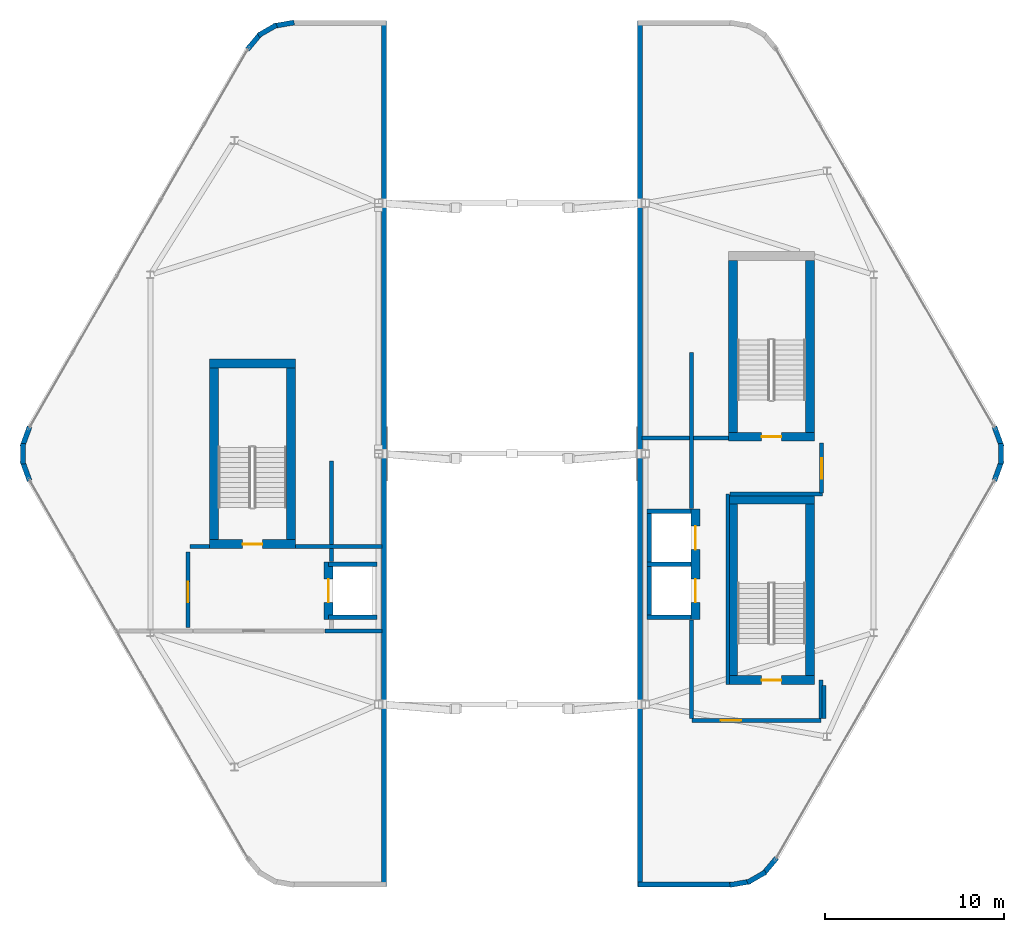
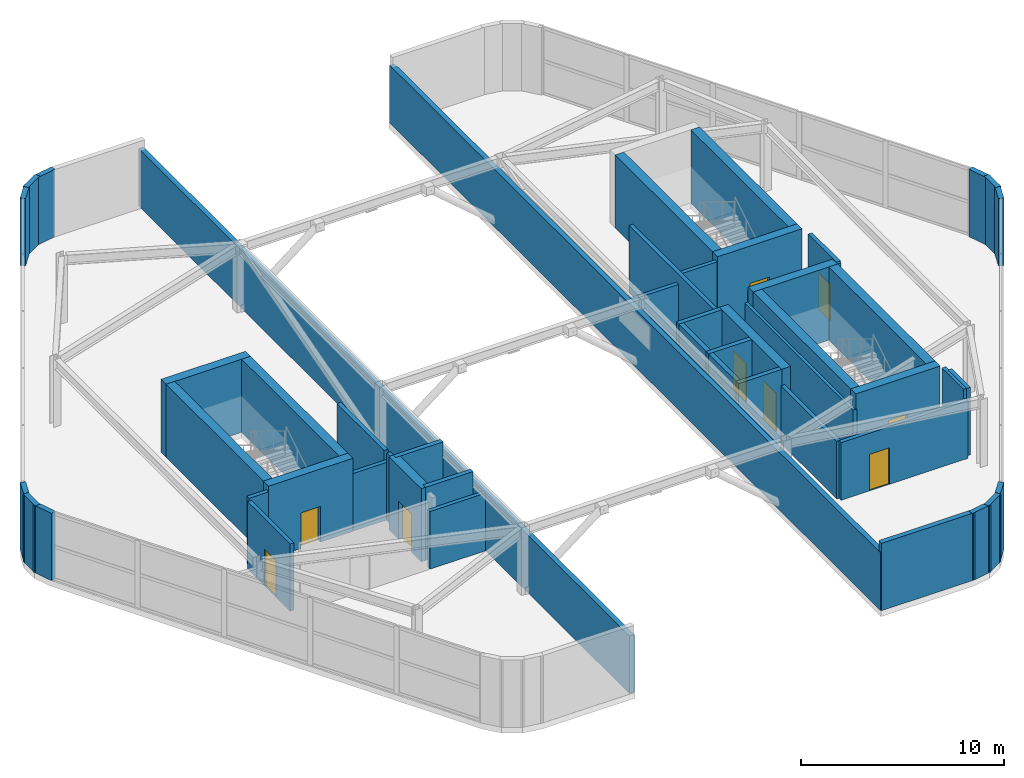
# One storey, part 14 of 16: 51 walls, 9 doors, 9 openings.
"""IFC4 building model written with IfcOpenShell, lengths in metres."""

from ifc_helpers import new_model, si_unit, direction, frame, frame_2d, origin, place, context, subcontext, project, spatial, rectangle, extrude, material, layer, layer_set, type_object, element, fill, save


model = new_model("IFC4")

# Units and contexts
model_context = context("Model", 3, precision=1e-05, world=origin(), true_north=direction((0.0, 1.0)))
body_context = subcontext(model_context, "Body", "Model", "MODEL_VIEW")
ifc_project = project(units=[si_unit("LENGTHUNIT", "METRE"), si_unit("AREAUNIT", "SQUARE_METRE"), si_unit("VOLUMEUNIT", "CUBIC_METRE"), si_unit("PLANEANGLEUNIT", "RADIAN"), si_unit("MASSUNIT", "GRAM", prefix="KILO")], contexts=[model_context])

# Site, building, storey
site_placement = place(None, origin())
site = spatial("IfcSite", under=ifc_project, at=site_placement, CompositionType="ELEMENT")
building_placement = place(site_placement, origin())
building = spatial("IfcBuilding", under=site, at=building_placement, Name="Zuhravey Tower", CompositionType="ELEMENT")
storey_placement = place(building_placement, frame((0.0, 0.0, 365.800048828125)))
storey = spatial("IfcBuildingStorey", under=building, at=storey_placement, Name="L93", CompositionType="ELEMENT", Elevation=365.800048828125)

# Wall, opening, door
ifc_material_1 = material(Name="Concrete C50/60", Category="concrete")
ifc_layer_1 = layer(ifc_material_1, 0.5)
ifc_layer_set_1 = layer_set([ifc_layer_1], Name="Concrete C50/60")
wall_type_1 = type_object("IfcWallType", Name="Core Shear Wall 500", PredefinedType="SHEAR", material=ifc_layer_set_1)
wall_1_placement = place(storey_placement, frame((19.10009765625, 26.949951171875, 0.0), z_axis=(0.0, 0.0, 1.0), x_axis=(1.0, 0.0, 0.0)))
wall_1 = element("IfcWall", 1, at=wall_1_placement, inside=storey, type_object=wall_type_1, Name="L93 CST1 South Shaft Wall", PredefinedType="SHEAR", context=body_context, shape_type="SweptSolid", body=[
    extrude(rectangle(XDim=4.7998046875, YDim=0.5, at=frame_2d((2.39990234375, 0.0))), origin(), (0.0, 0.0, 1.0), 4.39990234375),
])
opening_1_placement = place(wall_1_placement, frame((1.85009765625, 0.0, 0.0)))
opening_1 = element("IfcOpeningElement", 2, at=opening_1_placement, cuts=wall_1, Name="Opening STD1", PredefinedType="OPENING", context=body_context, shape_type="SweptSolid", body=[
    extrude(rectangle(XDim=1.10009765625, YDim=2.14990234375, at=frame_2d((0.550048828125, 1.074951171875))), frame((0.0, 0.261962890625, 0.0), z_axis=(0.0, -1.0, 0.0), x_axis=(1.0, 0.0, 0.0)), (0.0, 0.0, 1.0), 0.52392578125),
])
ifc_material_2 = material(Name="Galvanised fire-rated steel leaf", Category="steel")
door_type_1 = type_object("IfcDoorType", Name="Protected Stair Fire Door 1100x2150", OperationType="NOTDEFINED", PredefinedType="USERDEFINED", material=ifc_material_2)
door_1_placement = place(opening_1_placement, origin())
door_1 = element("IfcDoor", 3, at=door_1_placement, inside=storey, type_object=door_type_1, Name="L93 CST1 Door", ObjectType="EXITDOOR", OperationType="SINGLE_SWING_LEFT", OverallHeight=2.14990234375, OverallWidth=1.10009765625, PredefinedType="USERDEFINED", context=body_context, shape_type="SweptSolid", body=[
    extrude(rectangle(XDim=1.10009765625, YDim=2.14990234375, at=frame_2d((0.550048828125, 1.074951171875))), frame((0.0, 0.02490234375, 0.0), z_axis=(0.0, -1.0, 0.0), x_axis=(1.0, 0.0, 0.0)), (0.0, 0.0, 1.0), 0.050048828125),
])
fill(opening_1, door_1)

# Walls
wall_2_placement = place(storey_placement, frame((23.89990234375, 37.050048828125, 0.0), z_axis=(0.0, 0.0, 1.0), x_axis=(-1.0, 0.0, 0.0)))
element("IfcWall", 4, at=wall_2_placement, inside=storey, type_object=wall_type_1, Name="L93 CST1 North Shaft Wall", PredefinedType="SHEAR", context=body_context, shape_type="SweptSolid", body=[
    extrude(rectangle(XDim=4.7998046875, YDim=0.5, at=frame_2d((2.39990234375, 0.0))), origin(), (0.0, 0.0, 1.0), 4.39990234375),
])
for number, where, z_axis, x_axis, name in (
    (5, (19.35009765625, 27.199951171875, 0.0), (0.0, 0.0, 1.0), (0.0, 1.0, 0.0), "L93 CST1 West Shaft Wall"),
    (6, (23.64990234375, 36.800048828125, 0.0), (0.0, 0.0, 1.0), (0.0, -1.0, 0.0), "L93 CST1 East Shaft Wall"),
):
    element("IfcWall", number, at=place(storey_placement, frame(where, z_axis=z_axis, x_axis=x_axis)), inside=storey, type_object=wall_type_1, Name=name, PredefinedType="SHEAR", context=body_context, shape_type="SweptSolid", body=[
        extrude(rectangle(XDim=9.60009765625, YDim=0.5, at=frame_2d((4.800048828125, 0.0))), origin(), (0.0, 0.0, 1.0), 4.39990234375),
    ])

# Wall, opening, door
wall_3_placement = place(storey_placement, frame((48.10009765625, 19.35009765625, 0.0), z_axis=(0.0, 0.0, 1.0), x_axis=(1.0, 0.0, 0.0)))
wall_3 = element("IfcWall", 7, at=wall_3_placement, inside=storey, type_object=wall_type_1, Name="L93 CST2 South Shaft Wall", PredefinedType="SHEAR", context=body_context, shape_type="SweptSolid", body=[
    extrude(rectangle(XDim=4.7998046875, YDim=0.5, at=frame_2d((2.39990234375, 0.0))), origin(), (0.0, 0.0, 1.0), 4.39990234375),
])
opening_2_placement = place(wall_3_placement, frame((1.85009765625, 0.0, 0.0)))
opening_2 = element("IfcOpeningElement", 8, at=opening_2_placement, cuts=wall_3, Name="Opening STD1", PredefinedType="OPENING", context=body_context, shape_type="SweptSolid", body=[
    extrude(rectangle(XDim=1.10009765625, YDim=2.14990234375, at=frame_2d((0.550048828125, 1.074951171875))), frame((0.0, 0.261962890625, 0.0), z_axis=(0.0, -1.0, 0.0), x_axis=(1.0, 0.0, 0.0)), (0.0, 0.0, 1.0), 0.52392578125),
])
door_2_placement = place(opening_2_placement, origin())
door_2 = element("IfcDoor", 9, at=door_2_placement, inside=storey, type_object=door_type_1, Name="L93 CST2 Door", ObjectType="EXITDOOR", OperationType="SINGLE_SWING_RIGHT", OverallHeight=2.14990234375, OverallWidth=1.10009765625, PredefinedType="USERDEFINED", context=body_context, shape_type="SweptSolid", body=[
    extrude(rectangle(XDim=1.10009765625, YDim=2.14990234375, at=frame_2d((0.550048828125, 1.074951171875))), frame((0.0, 0.02490234375, 0.0), z_axis=(0.0, -1.0, 0.0), x_axis=(1.0, 0.0, 0.0)), (0.0, 0.0, 1.0), 0.050048828125),
])
fill(opening_2, door_2)

# Walls
wall_4_placement = place(storey_placement, frame((52.89990234375, 29.449951171875, 0.0), z_axis=(0.0, 0.0, 1.0), x_axis=(-1.0, 0.0, 0.0)))
element("IfcWall", 10, at=wall_4_placement, inside=storey, type_object=wall_type_1, Name="L93 CST2 North Shaft Wall", PredefinedType="SHEAR", context=body_context, shape_type="SweptSolid", body=[
    extrude(rectangle(XDim=4.7998046875, YDim=0.5, at=frame_2d((2.39990234375, 0.0))), origin(), (0.0, 0.0, 1.0), 4.39990234375),
])
for number, where, z_axis, x_axis, name in (
    (11, (48.35009765625, 19.60009765625, 0.0), (0.0, 0.0, 1.0), (0.0, 1.0, 0.0), "L93 CST2 West Shaft Wall"),
    (12, (52.64990234375, 29.199951171875, 0.0), (0.0, 0.0, 1.0), (0.0, -1.0, 0.0), "L93 CST2 East Shaft Wall"),
):
    element("IfcWall", number, at=place(storey_placement, frame(where, z_axis=z_axis, x_axis=x_axis)), inside=storey, type_object=wall_type_1, Name=name, PredefinedType="SHEAR", context=body_context, shape_type="SweptSolid", body=[
        extrude(rectangle(XDim=9.599853515625, YDim=0.5, at=frame_2d((4.7998046875, 0.0))), origin(), (0.0, 0.0, 1.0), 4.39990234375),
    ])

# Wall, opening, door
wall_5_placement = place(storey_placement, frame((48.10009765625, 32.949951171875, 0.0), z_axis=(0.0, 0.0, 1.0), x_axis=(1.0, 0.0, 0.0)))
wall_5 = element("IfcWall", 13, at=wall_5_placement, inside=storey, type_object=wall_type_1, Name="L93 CST3 South Shaft Wall", PredefinedType="SHEAR", context=body_context, shape_type="SweptSolid", body=[
    extrude(rectangle(XDim=4.7998046875, YDim=0.5, at=frame_2d((2.39990234375, 0.0))), origin(), (0.0, 0.0, 1.0), 4.39990234375),
])
opening_3_placement = place(wall_5_placement, frame((1.85009765625, 0.0, 0.0)))
opening_3 = element("IfcOpeningElement", 14, at=opening_3_placement, cuts=wall_5, Name="Opening STD1", PredefinedType="OPENING", context=body_context, shape_type="SweptSolid", body=[
    extrude(rectangle(XDim=1.10009765625, YDim=2.14990234375, at=frame_2d((0.550048828125, 1.074951171875))), frame((0.0, 0.261962890625, 0.0), z_axis=(0.0, -1.0, 0.0), x_axis=(1.0, 0.0, 0.0)), (0.0, 0.0, 1.0), 0.52392578125),
])
door_3_placement = place(opening_3_placement, origin())
door_3 = element("IfcDoor", 15, at=door_3_placement, inside=storey, type_object=door_type_1, Name="L93 CST3 Door", ObjectType="EXITDOOR", OperationType="SINGLE_SWING_LEFT", OverallHeight=2.14990234375, OverallWidth=1.10009765625, PredefinedType="USERDEFINED", context=body_context, shape_type="SweptSolid", body=[
    extrude(rectangle(XDim=1.10009765625, YDim=2.14990234375, at=frame_2d((0.550048828125, 1.074951171875))), frame((0.0, 0.02490234375, 0.0), z_axis=(0.0, -1.0, 0.0), x_axis=(1.0, 0.0, 0.0)), (0.0, 0.0, 1.0), 0.050048828125),
])
fill(opening_3, door_3)

# Walls
for number, where, z_axis, x_axis, name in (
    (16, (48.35009765625, 33.199951171875, 0.0), (0.0, 0.0, 1.0), (0.0, 1.0, 0.0), "L93 CST3 West Shaft Wall"),
    (17, (52.64990234375, 42.800048828125, 0.0), (0.0, 0.0, 1.0), (0.0, -1.0, 0.0), "L93 CST3 East Shaft Wall"),
):
    element("IfcWall", number, at=place(storey_placement, frame(where, z_axis=z_axis, x_axis=x_axis)), inside=storey, type_object=wall_type_1, Name=name, PredefinedType="SHEAR", context=body_context, shape_type="SweptSolid", body=[
        extrude(rectangle(XDim=9.60009765625, YDim=0.5, at=frame_2d((4.800048828125, 0.0))), origin(), (0.0, 0.0, 1.0), 4.39990234375),
    ])

# Wall, opening, door
wall_6_placement = place(storey_placement, frame((25.75, 22.75, 0.0), z_axis=(0.0, 0.0, 1.0), x_axis=(0.0, 1.0, 0.0)))
wall_6 = element("IfcWall", 18, at=wall_6_placement, inside=storey, type_object=wall_type_1, Name="L93 West Crest FF1 Shear Wall", PredefinedType="SHEAR", context=body_context, shape_type="SweptSolid", body=[
    extrude(rectangle(XDim=3.199951171875, YDim=0.5, at=frame_2d((1.60009765625, 0.0))), origin(), (0.0, 0.0, 1.0), 4.39990234375),
])
opening_4_placement = place(wall_6_placement, frame((0.949951171875, 0.0, 0.0)))
opening_4 = element("IfcOpeningElement", 19, at=opening_4_placement, cuts=wall_6, Name="Opening LD2", PredefinedType="OPENING", context=body_context, shape_type="SweptSolid", body=[
    extrude(rectangle(XDim=1.300048828125, YDim=2.300048828125, at=frame_2d((0.64990234375, 1.14990234375))), frame((0.0, 0.261962890625, 0.0), z_axis=(0.0, -1.0, 0.0), x_axis=(1.0, 0.0, 0.0)), (0.0, 0.0, 1.0), 0.52392578125),
])
ifc_material_3 = material(Name="Brushed stainless steel", Category="steel")
door_type_2 = type_object("IfcDoorType", Name="Freight & Stretcher Lift Sliding Door 1300x2300", OperationType="DOUBLE_DOOR_SLIDING", PredefinedType="DOOR", material=ifc_material_3)
door_4_placement = place(opening_4_placement, origin())
door_4 = element("IfcDoor", 20, at=door_4_placement, inside=storey, type_object=door_type_2, Name="L93 Lift FF1 Crown Landing Door", OperationType="DOUBLE_DOOR_SLIDING", OverallHeight=2.300048828125, OverallWidth=1.300048828125, PredefinedType="DOOR", context=body_context, shape_type="SweptSolid", body=[
    extrude(rectangle(XDim=1.300048828125, YDim=2.300048828125, at=frame_2d((0.64990234375, 1.14990234375))), frame((0.0, 0.02490234375, 0.0), z_axis=(0.0, -1.0, 0.0), x_axis=(1.0, 0.0, 0.0)), (0.0, 0.0, 1.0), 0.050048828125),
])
fill(opening_4, door_4)

# Wall, openings, doors
wall_7_placement = place(storey_placement, frame((46.25, 22.75, 0.0), z_axis=(0.0, 0.0, 1.0), x_axis=(0.0, 1.0, 0.0)))
wall_7 = element("IfcWall", 21, at=wall_7_placement, inside=storey, type_object=wall_type_1, Name="L93 East Crest FF2 Shear Wall", PredefinedType="SHEAR", context=body_context, shape_type="SweptSolid", body=[
    extrude(rectangle(XDim=6.14990234375, YDim=0.5, at=frame_2d((3.074951171875, 0.0))), origin(), (0.0, 0.0, 1.0), 4.39990234375),
])
opening_5_placement = place(wall_7_placement, frame((0.949951171875, 0.0, 0.0)))
opening_5 = element("IfcOpeningElement", 22, at=opening_5_placement, cuts=wall_7, Name="Opening LD2", PredefinedType="OPENING", context=body_context, shape_type="SweptSolid", body=[
    extrude(rectangle(XDim=1.300048828125, YDim=2.300048828125, at=frame_2d((0.64990234375, 1.14990234375))), frame((0.0, 0.261962890625, 0.0), z_axis=(0.0, -1.0, 0.0), x_axis=(1.0, 0.0, 0.0)), (0.0, 0.0, 1.0), 0.52392578125),
])
opening_6_placement = place(wall_7_placement, frame((3.89990234375, 0.0, 0.0)))
opening_6 = element("IfcOpeningElement", 23, at=opening_6_placement, cuts=wall_7, Name="Opening LD2", PredefinedType="OPENING", context=body_context, shape_type="SweptSolid", body=[
    extrude(rectangle(XDim=1.300048828125, YDim=2.300048828125, at=frame_2d((0.64990234375, 1.14990234375))), frame((0.0, 0.261962890625, 0.0), z_axis=(0.0, -1.0, 0.0), x_axis=(1.0, 0.0, 0.0)), (0.0, 0.0, 1.0), 0.52392578125),
])
door_5_placement = place(opening_5_placement, frame((1.300048828125, 0.0, 0.0), z_axis=(0.0, 0.0, 1.0), x_axis=(-1.0, 0.0, 0.0)))
door_5 = element("IfcDoor", 24, at=door_5_placement, inside=storey, type_object=door_type_2, Name="L93 Lift FF2 Crown Landing Door", OperationType="DOUBLE_DOOR_SLIDING", OverallHeight=2.300048828125, OverallWidth=1.300048828125, PredefinedType="DOOR", context=body_context, shape_type="SweptSolid", body=[
    extrude(rectangle(XDim=1.300048828125, YDim=2.300048828125, at=frame_2d((0.64990234375, 1.14990234375))), frame((0.0, 0.02490234375, 0.0), z_axis=(0.0, -1.0, 0.0), x_axis=(1.0, 0.0, 0.0)), (0.0, 0.0, 1.0), 0.050048828125),
])
fill(opening_5, door_5)
door_6_placement = place(opening_6_placement, frame((1.300048828125, 0.0, 0.0), z_axis=(0.0, 0.0, 1.0), x_axis=(-1.0, 0.0, 0.0)))
door_6 = element("IfcDoor", 25, at=door_6_placement, inside=storey, type_object=door_type_2, Name="L93 Lift SV1 Crown Landing Door", OperationType="DOUBLE_DOOR_SLIDING", OverallHeight=2.300048828125, OverallWidth=1.300048828125, PredefinedType="DOOR", context=body_context, shape_type="SweptSolid", body=[
    extrude(rectangle(XDim=1.300048828125, YDim=2.300048828125, at=frame_2d((0.64990234375, 1.14990234375))), frame((0.0, 0.02490234375, 0.0), z_axis=(0.0, -1.0, 0.0), x_axis=(1.0, 0.0, 0.0)), (0.0, 0.0, 1.0), 0.050048828125),
])
fill(opening_6, door_6)

# Walls
ifc_material_4 = material(Name="Precast concrete C40/50", Category="concrete")
ifc_layer_2 = layer(ifc_material_4, 0.280029296875)
ifc_layer_set_2 = layer_set([ifc_layer_2], Name="Precast concrete C40/50")
wall_type_2 = type_object("IfcWallType", Name="Crown Architectural Wall 280", PredefinedType="SOLIDWALL", material=ifc_layer_set_2)
wall_8_placement = place(storey_placement, frame((9.051513671875, 30.4951171875, 0.0), z_axis=(0.0, 0.0, 1.0), x_axis=(-0.342042645118, 0.939684430498, 0.0)))
element("IfcWall", 26, at=wall_8_placement, inside=storey, type_object=wall_type_2, Name="L93 WEST Crest Wall EW28-05", PredefinedType="SOLIDWALL", context=body_context, shape_type="SweptSolid", body=[
    extrude(rectangle(XDim=1.177734375, YDim=0.280029296875, at=frame_2d((0.5888671875, 0.0))), origin(), (0.0, 0.0, 1.0), 4.050048828125),
])
wall_9_placement = place(storey_placement, frame((8.68115234375, 31.41748046875, 0.0), z_axis=(0.0, 0.0, 1.0), x_axis=(0.0, 1.0, 0.0)))
element("IfcWall", 27, at=wall_9_placement, inside=storey, type_object=wall_type_2, Name="L93 WEST Crest Wall EW28-06", PredefinedType="SOLIDWALL", context=body_context, shape_type="SweptSolid", body=[
    extrude(rectangle(XDim=1.1650390625, YDim=0.280029296875, at=frame_2d((0.58251953125, 0.0))), origin(), (0.0, 0.0, 1.0), 4.050048828125),
])
for number, where, z_axis, x_axis, name in (
    (28, (8.648681640625, 32.398193359375, 0.0), (0.0, 0.0, 1.0), (0.342042645118, 0.939684430498, 0.0), "L93 WEST Crest Wall EW28-07"),
    (29, (21.222412109375, 54.585693359375, 0.0), (0.0, 0.0, 1.0), (0.642851701012, 0.765990659542, 0.0), "L93 WEST Crest Wall EW28-09"),
):
    element("IfcWall", number, at=place(storey_placement, frame(where, z_axis=z_axis, x_axis=x_axis)), inside=storey, type_object=wall_type_2, Name=name, PredefinedType="SOLIDWALL", context=body_context, shape_type="SweptSolid", body=[
        extrude(rectangle(XDim=1.177734375, YDim=0.280029296875, at=frame_2d((0.5888671875, 0.0))), origin(), (0.0, 0.0, 1.0), 4.050048828125),
    ])
wall_10_placement = place(storey_placement, frame((21.836181640625, 55.367431640625, 0.0), z_axis=(0.0, 0.0, 1.0), x_axis=(0.865951785477, 0.500127488975, 0.0)))
element("IfcWall", 30, at=wall_10_placement, inside=storey, type_object=wall_type_2, Name="L93 WEST Crest Wall EW28-10", PredefinedType="SOLIDWALL", context=body_context, shape_type="SweptSolid", body=[
    extrude(rectangle(XDim=1.165283203125, YDim=0.280029296875, at=frame_2d((0.58251953125, 0.0))), origin(), (0.0, 0.0, 1.0), 4.050048828125),
])
wall_11_placement = place(storey_placement, frame((22.669189453125, 55.885986328125, 0.0), z_axis=(0.0, 0.0, 1.0), x_axis=(0.984798162481, 0.173702559495, 0.0)))
element("IfcWall", 31, at=wall_11_placement, inside=storey, type_object=wall_type_2, Name="L93 WEST Crest Wall EW28-11", PredefinedType="SOLIDWALL", context=body_context, shape_type="SweptSolid", body=[
    extrude(rectangle(XDim=1.177734375, YDim=0.280029296875, at=frame_2d((0.5888671875, 0.0))), origin(), (0.0, 0.0, 1.0), 4.050048828125),
])
wall_12_placement = place(storey_placement, frame((28.860107421875, 56.169189453125, 0.0), z_axis=(0.0, 0.0, 1.0), x_axis=(0.0, -1.0, 0.0)))
element("IfcWall", 32, at=wall_12_placement, inside=storey, type_object=wall_type_2, Name="L93 WEST Crest Wall EW28-13", PredefinedType="SOLIDWALL", context=body_context, shape_type="SweptSolid", body=[
    extrude(rectangle(XDim=48.33837890625, YDim=0.280029296875, at=frame_2d((24.169189453125, 0.0))), origin(), (0.0, 0.0, 1.0), 3.46484375),
])
wall_13_placement = place(storey_placement, frame((62.948486328125, 33.5048828125, 0.0), z_axis=(0.0, 0.0, 1.0), x_axis=(0.342042645118, -0.939684430498, 0.0)))
element("IfcWall", 33, at=wall_13_placement, inside=storey, type_object=wall_type_2, Name="L93 EAST Crest Wall EW28-05", PredefinedType="SOLIDWALL", context=body_context, shape_type="SweptSolid", body=[
    extrude(rectangle(XDim=1.177734375, YDim=0.280029296875, at=frame_2d((0.5888671875, 0.0))), origin(), (0.0, 0.0, 1.0), 4.050048828125),
])
wall_14_placement = place(storey_placement, frame((63.31884765625, 32.58251953125, 0.0), z_axis=(0.0, 0.0, 1.0), x_axis=(0.0, -1.0, 0.0)))
element("IfcWall", 34, at=wall_14_placement, inside=storey, type_object=wall_type_2, Name="L93 EAST Crest Wall EW28-06", PredefinedType="SOLIDWALL", context=body_context, shape_type="SweptSolid", body=[
    extrude(rectangle(XDim=1.1650390625, YDim=0.280029296875, at=frame_2d((0.58251953125, 0.0))), origin(), (0.0, 0.0, 1.0), 4.050048828125),
])
for number, where, z_axis, x_axis, name in (
    (35, (63.351318359375, 31.601806640625, 0.0), (0.0, 0.0, 1.0), (-0.342042645118, -0.939684430498, 0.0), "L93 EAST Crest Wall EW28-07"),
    (36, (50.777587890625, 9.414306640625, 0.0), (0.0, 0.0, 1.0), (-0.642851701012, -0.765990659542, 0.0), "L93 EAST Crest Wall EW28-09"),
):
    element("IfcWall", number, at=place(storey_placement, frame(where, z_axis=z_axis, x_axis=x_axis)), inside=storey, type_object=wall_type_2, Name=name, PredefinedType="SOLIDWALL", context=body_context, shape_type="SweptSolid", body=[
        extrude(rectangle(XDim=1.177734375, YDim=0.280029296875, at=frame_2d((0.5888671875, 0.0))), origin(), (0.0, 0.0, 1.0), 4.050048828125),
    ])
wall_15_placement = place(storey_placement, frame((50.163818359375, 8.632568359375, 0.0), z_axis=(0.0, 0.0, 1.0), x_axis=(-0.865951785477, -0.500127488975, 0.0)))
element("IfcWall", 37, at=wall_15_placement, inside=storey, type_object=wall_type_2, Name="L93 EAST Crest Wall EW28-10", PredefinedType="SOLIDWALL", context=body_context, shape_type="SweptSolid", body=[
    extrude(rectangle(XDim=1.165283203125, YDim=0.280029296875, at=frame_2d((0.58251953125, 0.0))), origin(), (0.0, 0.0, 1.0), 4.050048828125),
])
wall_16_placement = place(storey_placement, frame((49.330810546875, 8.114013671875, 0.0), z_axis=(0.0, 0.0, 1.0), x_axis=(-0.984798162481, -0.173702559495, 0.0)))
element("IfcWall", 38, at=wall_16_placement, inside=storey, type_object=wall_type_2, Name="L93 EAST Crest Wall EW28-11", PredefinedType="SOLIDWALL", context=body_context, shape_type="SweptSolid", body=[
    extrude(rectangle(XDim=1.177734375, YDim=0.280029296875, at=frame_2d((0.5888671875, 0.0))), origin(), (0.0, 0.0, 1.0), 4.050048828125),
])
wall_17_placement = place(storey_placement, frame((48.359619140625, 7.92578125, 0.0), z_axis=(0.0, 0.0, 1.0), x_axis=(-1.0, 0.0, 0.0)))
element("IfcWall", 39, at=wall_17_placement, inside=storey, type_object=wall_type_2, Name="L93 EAST Crest Wall EW28-12", PredefinedType="SOLIDWALL", context=body_context, shape_type="SweptSolid", body=[
    extrude(rectangle(XDim=5.314697265625, YDim=0.280029296875, at=frame_2d((2.6572265625, 0.0))), origin(), (0.0, 0.0, 1.0), 4.050048828125),
])
wall_18_placement = place(storey_placement, frame((43.139892578125, 7.830810546875, 0.0), z_axis=(0.0, 0.0, 1.0), x_axis=(0.0, 1.0, 0.0)))
element("IfcWall", 40, at=wall_18_placement, inside=storey, type_object=wall_type_2, Name="L93 EAST Crest Wall EW28-13", PredefinedType="SOLIDWALL", context=body_context, shape_type="SweptSolid", body=[
    extrude(rectangle(XDim=48.33837890625, YDim=0.280029296875, at=frame_2d((24.169189453125, 0.0))), origin(), (0.0, 0.0, 1.0), 3.46484375),
])
ifc_layer_3 = layer(ifc_material_1, 0.25)
ifc_layer_set_3 = layer_set([ifc_layer_3], Name="Concrete C50/60")
wall_type_3 = type_object("IfcWallType", Name="Firefighting Shaft & Stair Wall 250", PredefinedType="SOLIDWALL", material=ifc_layer_set_3)
for number, where, z_axis, x_axis, name in (
    (41, (25.75, 25.824951171875, 0.0), (0.0, 0.0, 1.0), (1.0, 0.0, 0.0), "L93 FW25 Shaft Wall 001"),
    (42, (25.75, 22.875, 0.0), (0.0, 0.0, 1.0), (1.0, 0.0, 0.0), "L93 FW25 Shaft Wall 002"),
):
    element("IfcWall", number, at=place(storey_placement, frame(where, z_axis=z_axis, x_axis=x_axis)), inside=storey, type_object=wall_type_3, Name=name, PredefinedType="SOLIDWALL", context=body_context, shape_type="SweptSolid", body=[
        extrude(rectangle(XDim=2.699951171875, YDim=0.25, at=frame_2d((1.35009765625, 0.0))), origin(), (0.0, 0.0, 1.0), 4.39990234375),
    ])
for number, where, z_axis, x_axis, name in (
    (43, (43.550048828125, 22.875, 0.0), (0.0, 0.0, 1.0), (1.0, 0.0, 0.0), "L93 FW25 Shaft Wall 003"),
    (44, (43.550048828125, 25.824951171875, 0.0), (0.0, 0.0, 1.0), (1.0, 0.0, 0.0), "L93 FW25 Shaft Wall 004"),
):
    element("IfcWall", number, at=place(storey_placement, frame(where, z_axis=z_axis, x_axis=x_axis)), inside=storey, type_object=wall_type_3, Name=name, PredefinedType="SOLIDWALL", context=body_context, shape_type="SweptSolid", body=[
        extrude(rectangle(XDim=2.449951171875, YDim=0.25, at=frame_2d((1.22509765625, 0.0))), origin(), (0.0, 0.0, 1.0), 4.39990234375),
    ])
wall_19_placement = place(storey_placement, frame((43.675048828125, 23.0, 0.0), z_axis=(0.0, 0.0, 1.0), x_axis=(0.0, 1.0, 0.0)))
element("IfcWall", 45, at=wall_19_placement, inside=storey, type_object=wall_type_3, Name="L93 FW25 Shaft Wall 005", PredefinedType="SOLIDWALL", context=body_context, shape_type="SweptSolid", body=[
    extrude(rectangle(XDim=2.699951171875, YDim=0.25, at=frame_2d((1.35009765625, 0.0))), origin(), (0.0, 0.0, 1.0), 4.39990234375),
])
wall_20_placement = place(storey_placement, frame((43.550048828125, 28.77490234375, 0.0), z_axis=(0.0, 0.0, 1.0), x_axis=(1.0, 0.0, 0.0)))
element("IfcWall", 46, at=wall_20_placement, inside=storey, type_object=wall_type_3, Name="L93 FW25 Shaft Wall 006", PredefinedType="SOLIDWALL", context=body_context, shape_type="SweptSolid", body=[
    extrude(rectangle(XDim=2.449951171875, YDim=0.25, at=frame_2d((1.22509765625, 0.0))), origin(), (0.0, 0.0, 1.0), 4.39990234375),
])
wall_21_placement = place(storey_placement, frame((43.675048828125, 25.949951171875, 0.0), z_axis=(0.0, 0.0, 1.0), x_axis=(0.0, 1.0, 0.0)))
element("IfcWall", 47, at=wall_21_placement, inside=storey, type_object=wall_type_3, Name="L93 FW25 Shaft Wall 007", PredefinedType="SOLIDWALL", context=body_context, shape_type="SweptSolid", body=[
    extrude(rectangle(XDim=2.699951171875, YDim=0.25, at=frame_2d((1.35009765625, 0.0))), origin(), (0.0, 0.0, 1.0), 4.39990234375),
])

# Wall, opening, door
ifc_material_5 = material(Name="Gypsum acoustic stud assembly")
ifc_layer_4 = layer(ifc_material_5, 0.219970703125)
ifc_layer_set_4 = layer_set([ifc_layer_4], Name="Gypsum acoustic stud assembly")
wall_type_4 = type_object("IfcWallType", Name="School Acoustic Compartment Wall 220", PredefinedType="PARTITIONING", material=ifc_layer_set_4)
wall_22_placement = place(storey_placement, frame((17.89990234375, 22.300048828125, 0.0), z_axis=(0.0, 0.0, 1.0), x_axis=(0.0, 1.0, 0.0)))
wall_22 = element("IfcWall", 48, at=wall_22_placement, inside=storey, type_object=wall_type_4, Name="L93 IW22 Partition 009", PredefinedType="PARTITIONING", context=body_context, shape_type="SweptSolid", body=[
    extrude(rectangle(XDim=4.199951171875, YDim=0.219970703125, at=frame_2d((2.10009765625, 0.0))), origin(), (0.0, 0.0, 1.0), 4.050048828125),
])
opening_7_placement = place(wall_22_placement, frame((1.39990234375, 0.0, 0.0)))
opening_7 = element("IfcOpeningElement", 49, at=opening_7_placement, cuts=wall_22, Name="Opening CLD1", PredefinedType="OPENING", context=body_context, shape_type="SweptSolid", body=[
    extrude(rectangle(XDim=1.14990234375, YDim=2.199951171875, at=frame_2d((0.574951171875, 1.10009765625))), frame((0.0, 0.1220703125, 0.0), z_axis=(0.0, -1.0, 0.0), x_axis=(1.0, 0.0, 0.0)), (0.0, 0.0, 1.0), 0.243896484375),
])
ifc_material_6 = material(Name="Acoustic timber leaf with vision lite", Category="wood")
door_type_3 = type_object("IfcDoorType", Name="Classroom Acoustic Door 1150x2200", OperationType="NOTDEFINED", PredefinedType="DOOR", material=ifc_material_6)
door_7_placement = place(opening_7_placement, origin())
door_7 = element("IfcDoor", 50, at=door_7_placement, inside=storey, type_object=door_type_3, Name="L93 Tuned Liquid Damper Plant Hall Door", OperationType="SINGLE_SWING_LEFT", OverallHeight=2.199951171875, OverallWidth=1.14990234375, PredefinedType="DOOR", context=body_context, shape_type="SweptSolid", body=[
    extrude(rectangle(XDim=1.14990234375, YDim=2.199951171875, at=frame_2d((0.574951171875, 1.10009765625))), frame((0.0, 0.02490234375, 0.0), z_axis=(0.0, -1.0, 0.0), x_axis=(1.0, 0.0, 0.0)), (0.0, 0.0, 1.0), 0.050048828125),
])
fill(opening_7, door_7)

wall_23_placement = place(storey_placement, frame((46.050048828125, 17.10009765625, 0.0), z_axis=(0.0, 0.0, 1.0), x_axis=(1.0, 0.0, 0.0)))
wall_23 = element("IfcWall", 51, at=wall_23_placement, inside=storey, type_object=wall_type_4, Name="L93 IW22 Partition 010", PredefinedType="PARTITIONING", context=body_context, shape_type="SweptSolid", body=[
    extrude(rectangle(XDim=7.199951171875, YDim=0.219970703125, at=frame_2d((3.60009765625, 0.0))), origin(), (0.0, 0.0, 1.0), 3.469970703125),
])
opening_8_placement = place(wall_23_placement, frame((1.60009765625, 0.0, 0.0)))
opening_8 = element("IfcOpeningElement", 52, at=opening_8_placement, cuts=wall_23, Name="Opening CLD1", PredefinedType="OPENING", context=body_context, shape_type="SweptSolid", body=[
    extrude(rectangle(XDim=1.14990234375, YDim=2.199951171875, at=frame_2d((0.574951171875, 1.10009765625))), frame((0.0, 0.1220703125, 0.0), z_axis=(0.0, -1.0, 0.0), x_axis=(1.0, 0.0, 0.0)), (0.0, 0.0, 1.0), 0.243896484375),
])
door_8_placement = place(opening_8_placement, frame((1.14990234375, 0.0, 0.0), z_axis=(0.0, 0.0, 1.0), x_axis=(-1.0, 0.0, 0.0)))
door_8 = element("IfcDoor", 53, at=door_8_placement, inside=storey, type_object=door_type_3, Name="L93 Cooling Tower Heat Rejection Plant Door", OperationType="SINGLE_SWING_RIGHT", OverallHeight=2.199951171875, OverallWidth=1.14990234375, PredefinedType="DOOR", context=body_context, shape_type="SweptSolid", body=[
    extrude(rectangle(XDim=1.14990234375, YDim=2.199951171875, at=frame_2d((0.574951171875, 1.10009765625))), frame((0.0, 0.02490234375, 0.0), z_axis=(0.0, -1.0, 0.0), x_axis=(1.0, 0.0, 0.0)), (0.0, 0.0, 1.0), 0.050048828125),
])
fill(opening_8, door_8)

wall_24_placement = place(storey_placement, frame((53.300048828125, 29.800048828125, 0.0), z_axis=(0.0, 0.0, 1.0), x_axis=(0.0, 1.0, 0.0)))
wall_24 = element("IfcWall", 54, at=wall_24_placement, inside=storey, type_object=wall_type_4, Name="L93 IW22 Partition 011", PredefinedType="PARTITIONING", context=body_context, shape_type="SweptSolid", body=[
    extrude(rectangle(XDim=2.800048828125, YDim=0.219970703125, at=frame_2d((1.39990234375, 0.0))), origin(), (0.0, 0.0, 1.0), 4.050048828125),
])
opening_9_placement = place(wall_24_placement, frame((0.800048828125, 0.0, 0.0)))
opening_9 = element("IfcOpeningElement", 55, at=opening_9_placement, cuts=wall_24, Name="Opening CLD1", PredefinedType="OPENING", context=body_context, shape_type="SweptSolid", body=[
    extrude(rectangle(XDim=1.14990234375, YDim=2.199951171875, at=frame_2d((0.574951171875, 1.10009765625))), frame((0.0, 0.1220703125, 0.0), z_axis=(0.0, -1.0, 0.0), x_axis=(1.0, 0.0, 0.0)), (0.0, 0.0, 1.0), 0.243896484375),
])
door_9_placement = place(opening_9_placement, frame((1.14990234375, 0.0, 0.0), z_axis=(0.0, 0.0, 1.0), x_axis=(-1.0, 0.0, 0.0)))
door_9 = element("IfcDoor", 56, at=door_9_placement, inside=storey, type_object=door_type_3, Name="L93 Smoke Extract Fan Plant Door", OperationType="SINGLE_SWING_LEFT", OverallHeight=2.199951171875, OverallWidth=1.14990234375, PredefinedType="DOOR", context=body_context, shape_type="SweptSolid", body=[
    extrude(rectangle(XDim=1.14990234375, YDim=2.199951171875, at=frame_2d((0.574951171875, 1.10009765625))), frame((0.0, 0.02490234375, 0.0), z_axis=(0.0, -1.0, 0.0), x_axis=(1.0, 0.0, 0.0)), (0.0, 0.0, 1.0), 0.050048828125),
])
fill(opening_9, door_9)

# Walls
wall_25_placement = place(storey_placement, frame((25.550048828125, 22.10009765625, 0.0), z_axis=(0.0, 0.0, 1.0), x_axis=(1.0, 0.0, 0.0)))
element("IfcWall", 57, at=wall_25_placement, inside=storey, type_object=wall_type_4, Name="L93 IW22 Partition 013", PredefinedType="PARTITIONING", context=body_context, shape_type="SweptSolid", body=[
    extrude(rectangle(XDim=3.18994140625, YDim=0.219970703125, at=frame_2d((1.594970703125, 0.0))), origin(), (0.0, 0.0, 1.0), 3.469970703125),
])
wall_26_placement = place(storey_placement, frame((28.739990234375, 26.820068359375, 0.0), z_axis=(0.0, 0.0, 1.0), x_axis=(-1.0, 0.0, 0.0)))
element("IfcWall", 58, at=wall_26_placement, inside=storey, type_object=wall_type_4, Name="L93 IW22 Partition 014", PredefinedType="PARTITIONING", context=body_context, shape_type="SweptSolid", body=[
    extrude(rectangle(XDim=4.840087890625, YDim=0.219970703125, at=frame_2d((2.419921875, 0.0))), origin(), (0.0, 0.0, 1.0), 3.469970703125),
])
wall_27_placement = place(storey_placement, frame((19.10009765625, 26.820068359375, 0.0), z_axis=(0.0, 0.0, 1.0), x_axis=(-1.0, 0.0, 0.0)))
element("IfcWall", 59, at=wall_27_placement, inside=storey, type_object=wall_type_4, Name="L93 IW22 Partition 015", PredefinedType="PARTITIONING", context=body_context, shape_type="SweptSolid", body=[
    extrude(rectangle(XDim=1.10009765625, YDim=0.219970703125, at=frame_2d((0.550048828125, 0.0))), origin(), (0.0, 0.0, 1.0), 4.050048828125),
])
wall_28_placement = place(storey_placement, frame((25.919921875, 25.989013671875, 0.0), z_axis=(0.0, 0.0, 1.0), x_axis=(0.0, 1.0, 0.0)))
element("IfcWall", 60, at=wall_28_placement, inside=storey, type_object=wall_type_4, Name="L93 IW22 Partition 016", PredefinedType="PARTITIONING", context=body_context, shape_type="SweptSolid", body=[
    extrude(rectangle(XDim=0.712890625, YDim=0.219970703125, at=frame_2d((0.3564453125, 0.0))), origin(), (0.0, 0.0, 1.0), 4.050048828125),
])
wall_29_placement = place(storey_placement, frame((25.919921875, 26.93798828125, 0.0), z_axis=(0.0, 0.0, 1.0), x_axis=(0.0, 1.0, 0.0)))
element("IfcWall", 61, at=wall_29_placement, inside=storey, type_object=wall_type_4, Name="L93 IW22 Partition 017", PredefinedType="PARTITIONING", context=body_context, shape_type="SweptSolid", body=[
    extrude(rectangle(XDim=4.662109375, YDim=0.219970703125, at=frame_2d((2.3310546875, 0.0))), origin(), (0.0, 0.0, 1.0), 4.050048828125),
])
wall_30_placement = place(storey_placement, frame((53.25, 17.218017578125, 0.0), z_axis=(0.0, 0.0, 1.0), x_axis=(0.0, 1.0, 0.0)))
element("IfcWall", 62, at=wall_30_placement, inside=storey, type_object=wall_type_4, Name="L93 IW22 Partition 019", PredefinedType="PARTITIONING", context=body_context, shape_type="SweptSolid", body=[
    extrude(rectangle(XDim=2.132080078125, YDim=0.219970703125, at=frame_2d((1.06591796875, 0.0))), origin(), (0.0, 0.0, 1.0), 4.050048828125),
])
wall_31_placement = place(storey_placement, frame((48.050048828125, 19.10009765625, 0.0), z_axis=(0.0, 0.0, 1.0), x_axis=(0.0, 1.0, 0.0)))
element("IfcWall", 63, at=wall_31_placement, inside=storey, type_object=wall_type_4, Name="L93 IW22 Partition 020", PredefinedType="PARTITIONING", context=body_context, shape_type="SweptSolid", body=[
    extrude(rectangle(XDim=10.64990234375, YDim=0.219970703125, at=frame_2d((5.324951171875, 0.0))), origin(), (0.0, 0.0, 1.0), 3.469970703125),
])
wall_32_placement = place(storey_placement, frame((48.16796875, 29.75, 0.0), z_axis=(0.0, 0.0, 1.0), x_axis=(1.0, 0.0, 0.0)))
element("IfcWall", 64, at=wall_32_placement, inside=storey, type_object=wall_type_4, Name="L93 IW22 Partition 021", PredefinedType="PARTITIONING", context=body_context, shape_type="SweptSolid", body=[
    extrude(rectangle(XDim=5.18212890625, YDim=0.219970703125, at=frame_2d((2.591064453125, 0.0))), origin(), (0.0, 0.0, 1.0), 4.050048828125),
])
wall_33_placement = place(storey_placement, frame((46.030029296875, 22.701416015625, 0.0), z_axis=(0.0, 0.0, 1.0), x_axis=(0.0, -1.0, 0.0)))
element("IfcWall", 65, at=wall_33_placement, inside=storey, type_object=wall_type_4, Name="L93 IW22 Partition 022", PredefinedType="PARTITIONING", context=body_context, shape_type="SweptSolid", body=[
    extrude(rectangle(XDim=5.50146484375, YDim=0.219970703125, at=frame_2d((2.750732421875, 0.0))), origin(), (0.0, 0.0, 1.0), 3.469970703125),
])
wall_34_placement = place(storey_placement, frame((53.419921875, 17.199951171875, 0.0), z_axis=(0.0, 0.0, 1.0), x_axis=(0.0, 1.0, 0.0)))
element("IfcWall", 66, at=wall_34_placement, inside=storey, type_object=wall_type_4, Name="L93 IW22 Partition 023", PredefinedType="PARTITIONING", context=body_context, shape_type="SweptSolid", body=[
    extrude(rectangle(XDim=1.85009765625, YDim=0.219970703125, at=frame_2d((0.925048828125, 0.0))), origin(), (0.0, 0.0, 1.0), 4.050048828125),
])
wall_35_placement = place(storey_placement, frame((46.030029296875, 37.64990234375, 0.0), z_axis=(0.0, 0.0, 1.0), x_axis=(0.0, -1.0, 0.0)))
element("IfcWall", 67, at=wall_35_placement, inside=storey, type_object=wall_type_4, Name="L93 IW22 Partition 024", PredefinedType="PARTITIONING", context=body_context, shape_type="SweptSolid", body=[
    extrude(rectangle(XDim=8.701416015625, YDim=0.219970703125, at=frame_2d((4.3505859375, 0.0))), origin(), (0.0, 0.0, 1.0), 4.050048828125),
])
wall_36_placement = place(storey_placement, frame((48.10009765625, 32.8701171875, 0.0), z_axis=(0.0, 0.0, 1.0), x_axis=(-1.0, 0.0, 0.0)))
element("IfcWall", 68, at=wall_36_placement, inside=storey, type_object=wall_type_4, Name="L93 IW22 Partition 025", PredefinedType="PARTITIONING", context=body_context, shape_type="SweptSolid", body=[
    extrude(rectangle(XDim=1.9521484375, YDim=0.219970703125, at=frame_2d((0.97607421875, 0.0))), origin(), (0.0, 0.0, 1.0), 4.050048828125),
])
wall_37_placement = place(storey_placement, frame((45.912109375, 32.8701171875, 0.0), z_axis=(0.0, 0.0, 1.0), x_axis=(-1.0, 0.0, 0.0)))
element("IfcWall", 69, at=wall_37_placement, inside=storey, type_object=wall_type_4, Name="L93 IW22 Partition 026", PredefinedType="PARTITIONING", context=body_context, shape_type="SweptSolid", body=[
    extrude(rectangle(XDim=2.652099609375, YDim=0.219970703125, at=frame_2d((1.326171875, 0.0))), origin(), (0.0, 0.0, 1.0), 3.469970703125),
])

save(model, "model.ifc")
